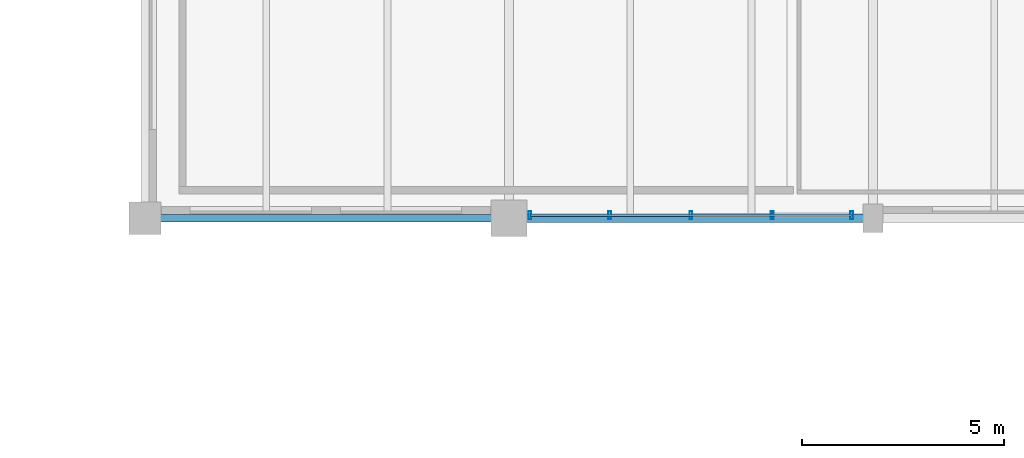
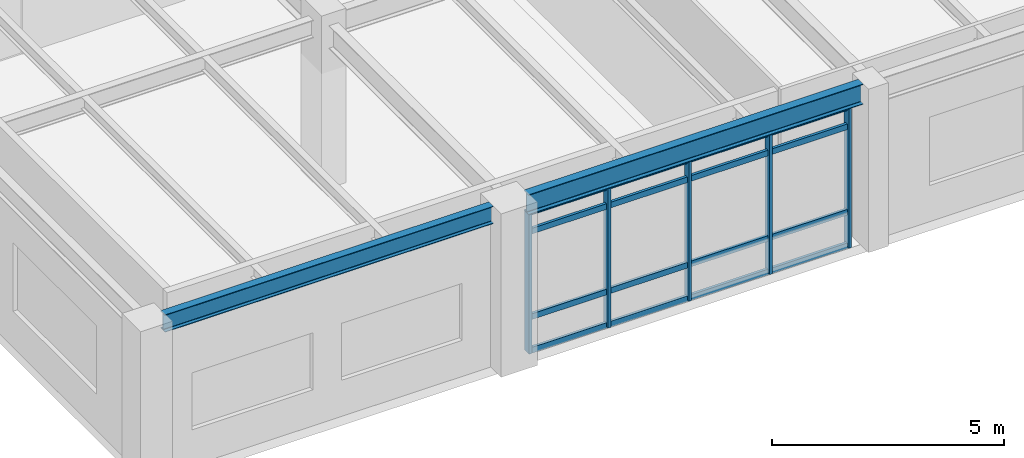
# One storey, part 84 of 168: 9 members, 2 beams, 1 element without a shape of its own.
"""IFC4 building model written with IfcOpenShell, lengths in metres."""

import ifcopenshell
import ifcopenshell.guid

model = None  # the IFC model being written
_history = None  # IfcOwnerHistory: only IFC2X3 demands one
_inside = {}  # id of a spatial element -> (the spatial element, [elements in it])
_under = {}  # id of a project, library or spatial element -> (it, [spatial elements below it])
_declared = {}  # id of a project -> (the project, [libraries it declares])
_typed = {}  # id of a type object -> (the type object, [elements of that type])
_made_of = {}  # id of a material, layer set ... -> (it, [elements and type objects made of it])


def new_model(schema):
    """Start an empty IFC model of exactly this schema.

    Asked for "IFC4X3", IfcOpenShell would pick the latest addendum, in which some entities
    have other attributes; the version numbers below select the first issue.
    IFC2X3 requires an IfcOwnerHistory on every rooted entity: one is made here for all.
    """
    global model, _history
    if schema == "IFC4X3":
        model = ifcopenshell.file(schema_version=(4, 3, 0, 0))
    else:
        model = ifcopenshell.file(schema=schema)
    _inside.clear()
    _under.clear()
    _declared.clear()
    _typed.clear()
    _made_of.clear()
    _history = None
    if model.schema == "IFC2X3":
        org = make("IfcOrganization", Name="unknown")
        user = make(
            "IfcPersonAndOrganization",
            ThePerson=make("IfcPerson", FamilyName="unknown"),
            TheOrganization=org,
        )
        app = make(
            "IfcApplication",
            ApplicationDeveloper=org,
            Version="unknown",
            ApplicationFullName="unknown",
            ApplicationIdentifier="unknown",
        )
        _history = make(
            "IfcOwnerHistory",
            OwningUser=user,
            OwningApplication=app,
            ChangeAction="ADDED",
            CreationDate=0,
        )
    return model


def make(cls, **values):
    """One entity of the class cls with the attributes given. An attribute that is None is left unset."""
    return model.create_entity(
        cls, **{name: value for name, value in values.items() if value is not None}
    )


def rooted(cls, **values):
    """An entity with a GlobalId (a new one), such as an element, a storey or a relation."""
    return make(cls, GlobalId=ifcopenshell.guid.new(), OwnerHistory=_history, **values)


def si_unit(unit_type, name, prefix=None):
    """IfcSIUnit, for example si_unit("LENGTHUNIT", "METRE", prefix="MILLI")."""
    return make("IfcSIUnit", UnitType=unit_type, Prefix=prefix, Name=name)


def assignment(units):
    """IfcUnitAssignment: the units of a project."""
    return None if units is None else make("IfcUnitAssignment", Units=units)


def point(xyz):
    """IfcCartesianPoint."""
    return None if xyz is None else make("IfcCartesianPoint", Coordinates=xyz)


def direction(xyz):
    """IfcDirection."""
    return None if xyz is None else make("IfcDirection", DirectionRatios=xyz)


def frame(location, z_axis=None, x_axis=None):
    """IfcAxis2Placement3D, a coordinate frame: its origin and axes. An axis left out is left unset."""
    return make(
        "IfcAxis2Placement3D",
        Location=point(location),
        Axis=direction(z_axis),
        RefDirection=direction(x_axis),
    )


def frame_2d(location, x_axis=None):
    """IfcAxis2Placement2D, a coordinate frame in the plane: its origin and x axis."""
    return make(
        "IfcAxis2Placement2D", Location=point(location), RefDirection=direction(x_axis)
    )


def origin():
    """The frame at (0, 0, 0) with its axes left unset."""
    return frame((0.0, 0.0, 0.0))


def origin_2d():
    """The frame at (0, 0) in the plane with its x axis left unset."""
    return frame_2d((0.0, 0.0))


def place(relative_to, where):
    """IfcLocalPlacement: puts the frame where relative to a parent placement (None: the world)."""
    return make(
        "IfcLocalPlacement", PlacementRelTo=relative_to, RelativePlacement=where
    )


def context(
    kind, dimensions, precision=None, world=None, true_north=None, identifier=None
):
    """IfcGeometricRepresentationContext, for example the 3D "Model" context."""
    return make(
        "IfcGeometricRepresentationContext",
        ContextIdentifier=identifier,
        ContextType=kind,
        CoordinateSpaceDimension=dimensions,
        Precision=precision,
        WorldCoordinateSystem=world,
        TrueNorth=true_north,
    )


def subcontext(parent, identifier, kind, view, scale=None):
    """IfcGeometricRepresentationSubContext, for example "Body" below "Model"."""
    return make(
        "IfcGeometricRepresentationSubContext",
        ContextIdentifier=identifier,
        ContextType=kind,
        ParentContext=parent,
        TargetScale=scale,
        TargetView=view,
    )


def project(units=None, contexts=None):
    """IfcProject with its units and contexts."""
    return rooted(
        "IfcProject",
        Name="project",
        RepresentationContexts=contexts,
        UnitsInContext=assignment(units),
    )


def spatial(cls, under=None, at=None, **own):
    """A site, building, storey or space (cls), placed at a placement, below another one or the project."""
    s = rooted(cls, ObjectPlacement=at, **own)
    if under is not None:
        _under.setdefault(under.id(), (under, []))[1].append(s)
    return s


def profile(cls, at=None, kind="AREA", **sizes):
    """A parametric profile (cls). Its sizes go by their IFC names, for example OverallWidth=200.0."""
    return make(cls, ProfileType=kind, Position=at, **sizes)


def hollow_rectangle(**sizes):
    """IfcRectangleHollowProfileDef."""
    return profile("IfcRectangleHollowProfileDef", **sizes)


def i_section(**sizes):
    """IfcIShapeProfileDef."""
    return profile("IfcIShapeProfileDef", **sizes)


def extrude(swept, where, along, depth):
    """IfcExtrudedAreaSolid: the profile swept, set in the frame where, extruded along a direction by depth."""
    return make(
        "IfcExtrudedAreaSolid",
        SweptArea=swept,
        Position=where,
        ExtrudedDirection=direction(along),
        Depth=depth,
    )


def shape(context_of_items, identifier, shape_type, items):
    """IfcShapeRepresentation: the items that make up one representation, for example the "Body"."""
    return make(
        "IfcShapeRepresentation",
        ContextOfItems=context_of_items,
        RepresentationIdentifier=identifier,
        RepresentationType=shape_type,
        Items=items,
    )


def material(Name=None, Category=None):
    """IfcMaterial."""
    return make("IfcMaterial", Name=Name, Category=Category)


def material_profile(
    of_material, cross_section, Name=None, Category=None, Priority=None
):
    """IfcMaterialProfile: a cross section and its material."""
    return make(
        "IfcMaterialProfile",
        Name=Name,
        Material=of_material,
        Profile=cross_section,
        Priority=Priority,
        Category=Category,
    )


def profile_set(profiles, Name=None, composite=None):
    """IfcMaterialProfileSet."""
    return make(
        "IfcMaterialProfileSet",
        Name=Name,
        MaterialProfiles=profiles,
        CompositeProfile=composite,
    )


def made_of(thing, what):
    """Note that an element or type object is made of a material, layer set ...; save() writes the relation."""
    if what is not None:
        _made_of.setdefault(what.id(), (what, []))[1].append(thing)
    return thing


def type_object(cls, material=None, **own):
    """A type object (cls), such as IfcWallType, which elements share."""
    return made_of(rooted(cls, **own), material)


def element(
    cls,
    number,
    at=None,
    inside=None,
    cuts=None,
    type_object=None,
    material=None,
    context=None,
    identifier="Body",
    shape_type=None,
    held_by="IfcProductDefinitionShape",
    body=None,
    shapes=None,
    **own,
):
    """One element of the class cls, such as IfcWall. Its Tag is "e" and its number.

    at: its placement. inside: the storey or other place that contains it. cuts: it is an
    opening in that element (IfcRelVoidsElement). A single representation is given by context,
    identifier, shape_type and body (its items); several are given by shapes. held_by: the class
    of the entity that holds the representations. save() writes the other relations.
    """
    e = rooted(cls, Tag="e%d" % number, ObjectPlacement=at, **own)
    if body is not None:
        shapes = [shape(context, identifier, shape_type, body)]
    if shapes is not None:
        e.Representation = make(held_by, Representations=shapes)
    if inside is not None:
        _inside.setdefault(inside.id(), (inside, []))[1].append(e)
    if cuts is not None:
        rooted(
            "IfcRelVoidsElement", RelatingBuildingElement=cuts, RelatedOpeningElement=e
        )
    if type_object is not None:
        _typed.setdefault(type_object.id(), (type_object, []))[1].append(e)
    return made_of(e, material)


def aggregate(whole, parts):
    """IfcRelAggregates: a whole, such as a stair, and the parts it consists of."""
    return rooted("IfcRelAggregates", RelatingObject=whole, RelatedObjects=parts)


def save(model, path):
    """Write the relations noted so far, then the file.

    IfcRelAggregates (storeys below a building ...), IfcRelContainedInSpatialStructure (elements
    in a storey), IfcRelDefinesByType, IfcRelAssociatesMaterial and IfcRelDeclares: one each for
    every whole, place, type object, material and project.
    """
    for whole, parts in _under.values():
        aggregate(whole, parts)
    for where, things in _inside.values():
        rooted(
            "IfcRelContainedInSpatialStructure",
            RelatedElements=things,
            RelatingStructure=where,
        )
    for kind, things in _typed.values():
        rooted("IfcRelDefinesByType", RelatedObjects=things, RelatingType=kind)
    for what, things in _made_of.values():
        rooted("IfcRelAssociatesMaterial", RelatedObjects=things, RelatingMaterial=what)
    for by, libraries in _declared.values():
        rooted("IfcRelDeclares", RelatingContext=by, RelatedDefinitions=libraries)
    model.write(path)


model = new_model("IFC4")

# Units and contexts
model_context = context("Model", 3, precision=1e-05, world=origin(), true_north=direction((0.0, 1.0)))
body_context = subcontext(model_context, "Body", "Model", "MODEL_VIEW")
ifc_project = project(units=[si_unit("LENGTHUNIT", "METRE"), si_unit("AREAUNIT", "SQUARE_METRE"), si_unit("VOLUMEUNIT", "CUBIC_METRE"), si_unit("PLANEANGLEUNIT", "RADIAN"), si_unit("MASSUNIT", "GRAM", prefix="KILO"), si_unit("THERMODYNAMICTEMPERATUREUNIT", "KELVIN"), si_unit("POWERUNIT", "WATT")], contexts=[model_context])

# Site, building, storey
site_placement = place(None, origin())
site = spatial("IfcSite", under=ifc_project, at=site_placement, CompositionType="ELEMENT")
building_placement = place(site_placement, origin())
building = spatial("IfcBuilding", under=site, at=building_placement, Name="Tepalcoro Natatorium and Aquatics Centre", CompositionType="ELEMENT")
storey_placement = place(building_placement, frame((0.0, 0.0, 10.199951171875)))
storey = spatial("IfcBuildingStorey", under=building, at=storey_placement, Name="L02", CompositionType="ELEMENT", Elevation=10.199951171875)

# Curtain wall, members
ifc_material_1 = material(Name="Bronze-Anodised Extruded Aluminium Alloy EN AW-6063 T6", Category="aluminium")
curtain_wall_type = type_object("IfcCurtainWallType", Name="CW_V3_FOYER", PredefinedType="USERDEFINED", material=ifc_material_1)
curtain_wall_placement = place(storey_placement, origin())
curtain_wall = element("IfcCurtainWall", 1, at=curtain_wall_placement, inside=storey, type_object=curtain_wall_type, Name="V5 L02 S Unitised Curtain Wall Bay 2", ObjectType="UNITISED STOREFRONT", PredefinedType="USERDEFINED")
ifc_material_profile_1 = material_profile(ifc_material_1, hollow_rectangle(XDim=0.070068359375, YDim=0.199951171875, WallThickness=0.0048828125, at=origin_2d()), Name="AL70X200X5")
ifc_profile_set_1 = profile_set([ifc_material_profile_1], Name="Bronze-Anodised Extruded Aluminium Alloy EN AW-6063 T6")
member_type_1 = type_object("IfcMemberType", Name="CW_MUL_70x200", PredefinedType="MULLION", material=ifc_profile_set_1)
member_1_placement = place(storey_placement, frame((107.52001953125, 86.0712890625, 0.02001953125), z_axis=(0.0, 0.0, 1.0), x_axis=(1.0, 0.0, 0.0)))
member_1 = element("IfcMember", 2, at=member_1_placement, type_object=member_type_1, Name="CW_V3_FOYER Curtain Wall Mullion", PredefinedType="MULLION", context=body_context, shape_type="SweptSolid", body=[
    extrude(hollow_rectangle(XDim=0.070068359375, YDim=0.199951171875, WallThickness=0.0048828125, at=origin_2d()), origin(), (0.0, 0.0, 1.0), 3.694091796875),
])
member_2_placement = place(storey_placement, frame((109.489990234375, 86.0712890625, 0.02001953125), z_axis=(0.0, 0.0, 1.0), x_axis=(1.0, 0.0, 0.0)))
member_2 = element("IfcMember", 3, at=member_2_placement, type_object=member_type_1, Name="CW_V3_FOYER Curtain Wall Mullion", PredefinedType="MULLION", context=body_context, shape_type="SweptSolid", body=[
    extrude(hollow_rectangle(XDim=0.070068359375, YDim=0.199951171875, WallThickness=0.0048828125, at=origin_2d()), origin(), (0.0, 0.0, 1.0), 3.694091796875),
])
member_3_placement = place(storey_placement, frame((111.5, 86.0712890625, 0.02001953125), z_axis=(0.0, 0.0, 1.0), x_axis=(1.0, 0.0, 0.0)))
member_3 = element("IfcMember", 4, at=member_3_placement, type_object=member_type_1, Name="CW_V3_FOYER Curtain Wall Mullion", PredefinedType="MULLION", context=body_context, shape_type="SweptSolid", body=[
    extrude(hollow_rectangle(XDim=0.070068359375, YDim=0.199951171875, WallThickness=0.0048828125, at=origin_2d()), origin(), (0.0, 0.0, 1.0), 3.694091796875),
])
member_4_placement = place(storey_placement, frame((113.510009765625, 86.0712890625, 0.02001953125), z_axis=(0.0, 0.0, 1.0), x_axis=(1.0, 0.0, 0.0)))
member_4 = element("IfcMember", 5, at=member_4_placement, type_object=member_type_1, Name="CW_V3_FOYER Curtain Wall Mullion", PredefinedType="MULLION", context=body_context, shape_type="SweptSolid", body=[
    extrude(hollow_rectangle(XDim=0.070068359375, YDim=0.199951171875, WallThickness=0.0048828125, at=origin_2d()), origin(), (0.0, 0.0, 1.0), 3.694091796875),
])
member_5_placement = place(storey_placement, frame((115.47998046875, 86.0712890625, 0.02001953125), z_axis=(0.0, 0.0, 1.0), x_axis=(1.0, 0.0, 0.0)))
member_5 = element("IfcMember", 6, at=member_5_placement, type_object=member_type_1, Name="CW_V3_FOYER Curtain Wall Mullion", PredefinedType="MULLION", context=body_context, shape_type="SweptSolid", body=[
    extrude(hollow_rectangle(XDim=0.070068359375, YDim=0.199951171875, WallThickness=0.0048828125, at=origin_2d()), origin(), (0.0, 0.0, 1.0), 3.694091796875),
])
ifc_material_profile_2 = material_profile(ifc_material_1, hollow_rectangle(XDim=0.070068359375, YDim=0.14990234375, WallThickness=0.00390625, at=origin_2d()), Name="AL70X150X4")
ifc_profile_set_2 = profile_set([ifc_material_profile_2], Name="Bronze-Anodised Extruded Aluminium Alloy EN AW-6063 T6")
member_type_2 = type_object("IfcMemberType", Name="CW_TRN_70x150", PredefinedType="USERDEFINED", material=ifc_profile_set_2)
member_6_placement = place(storey_placement, frame((107.530029296875, 86.0712890625, 0.050048828125), z_axis=(1.0, 0.0, 0.0), x_axis=(0.0, 1.0, 0.0)))
member_6 = element("IfcMember", 7, at=member_6_placement, type_object=member_type_2, Name="CW_V3_FOYER Curtain Wall Transom", ObjectType="TRANSOM", PredefinedType="USERDEFINED", context=body_context, shape_type="SweptSolid", body=[
    extrude(hollow_rectangle(XDim=0.070068359375, YDim=0.14990234375, WallThickness=0.00390625, at=origin_2d()), origin(), (0.0, 0.0, 1.0), 7.93994140625),
])
member_7_placement = place(storey_placement, frame((107.530029296875, 86.0712890625, 0.93359375), z_axis=(1.0, 0.0, 0.0), x_axis=(0.0, 1.0, 0.0)))
member_7 = element("IfcMember", 8, at=member_7_placement, type_object=member_type_2, Name="CW_V3_FOYER Curtain Wall Transom", ObjectType="TRANSOM", PredefinedType="USERDEFINED", context=body_context, shape_type="SweptSolid", body=[
    extrude(hollow_rectangle(XDim=0.070068359375, YDim=0.14990234375, WallThickness=0.00390625, at=origin_2d()), origin(), (0.0, 0.0, 1.0), 7.93994140625),
])
member_8_placement = place(storey_placement, frame((107.530029296875, 86.0712890625, 3.18408203125), z_axis=(1.0, 0.0, 0.0), x_axis=(0.0, 1.0, 0.0)))
member_8 = element("IfcMember", 9, at=member_8_placement, type_object=member_type_2, Name="CW_V3_FOYER Curtain Wall Transom", ObjectType="TRANSOM", PredefinedType="USERDEFINED", context=body_context, shape_type="SweptSolid", body=[
    extrude(hollow_rectangle(XDim=0.070068359375, YDim=0.14990234375, WallThickness=0.00390625, at=origin_2d()), origin(), (0.0, 0.0, 1.0), 7.93994140625),
])
member_9_placement = place(storey_placement, frame((107.530029296875, 86.0712890625, 3.68408203125), z_axis=(1.0, 0.0, 0.0), x_axis=(0.0, 1.0, 0.0)))
member_9 = element("IfcMember", 10, at=member_9_placement, type_object=member_type_2, Name="CW_V3_FOYER Curtain Wall Transom", ObjectType="TRANSOM", PredefinedType="USERDEFINED", context=body_context, shape_type="SweptSolid", body=[
    extrude(hollow_rectangle(XDim=0.070068359375, YDim=0.14990234375, WallThickness=0.00390625, at=origin_2d()), origin(), (0.0, 0.0, 1.0), 7.93994140625),
])
aggregate(curtain_wall, [member_1, member_2, member_3, member_4, member_5, member_6, member_7, member_8, member_9])

# Beams
ifc_material_2 = material(Name="Steel ASTM A992 Grade 50 (Fy 345 MPa)", Category="steel")
ifc_material_profile_3 = material_profile(ifc_material_2, i_section(OverallWidth=0.19091796875, OverallDepth=0.4599609375, WebThickness=0.010009765625, FlangeThickness=0.01611328125, FilletRadius=0.013916015625, at=origin_2d()), Name="W18X55")
ifc_profile_set_3 = profile_set([ifc_material_profile_3], Name="Steel ASTM A992 Grade 50 (Fy 345 MPa)")
beam_type_1 = type_object("IfcBeamType", Name="SP_W18x55", PredefinedType="SPANDREL", material=ifc_profile_set_3)
beam_1_placement = place(storey_placement, frame((98.385009765625, 86.0, 4.054931640625), z_axis=(1.0, 0.0, 0.0), x_axis=(0.0, 1.0, 0.0)))
element("IfcBeam", 11, at=beam_1_placement, inside=storey, type_object=beam_type_1, Name="V5 L02 Grid Girder X", PredefinedType="SPANDREL", context=body_context, shape_type="SweptSolid", body=[
    extrude(i_section(OverallWidth=0.19091796875, OverallDepth=0.4599609375, WebThickness=0.010009765625, FlangeThickness=0.01611328125, FilletRadius=0.013916015625, at=origin_2d()), origin(), (0.0, 0.0, 1.0), 8.179931640625),
])
ifc_material_profile_4 = material_profile(ifc_material_2, i_section(OverallWidth=0.2099609375, OverallDepth=0.535888671875, WebThickness=0.010986328125, FlangeThickness=0.01708984375, FilletRadius=0.013916015625, at=origin_2d()), Name="W21X68")
ifc_profile_set_4 = profile_set([ifc_material_profile_4], Name="Steel ASTM A992 Grade 50 (Fy 345 MPa)")
beam_type_2 = type_object("IfcBeamType", Name="SP_W21x68", PredefinedType="SPANDREL", material=ifc_profile_set_4)
beam_2_placement = place(storey_placement, frame((107.43505859375, 86.0, 4.01708984375), z_axis=(1.0, 0.0, 0.0), x_axis=(0.0, 1.0, 0.0)))
element("IfcBeam", 12, at=beam_2_placement, inside=storey, type_object=beam_type_2, Name="V5 L02 Grid Girder X", PredefinedType="SPANDREL", context=body_context, shape_type="SweptSolid", body=[
    extrude(i_section(OverallWidth=0.2099609375, OverallDepth=0.535888671875, WebThickness=0.010986328125, FlangeThickness=0.01708984375, FilletRadius=0.013916015625, at=origin_2d()), origin(), (0.0, 0.0, 1.0), 8.329833984375),
])

save(model, "model.ifc")
